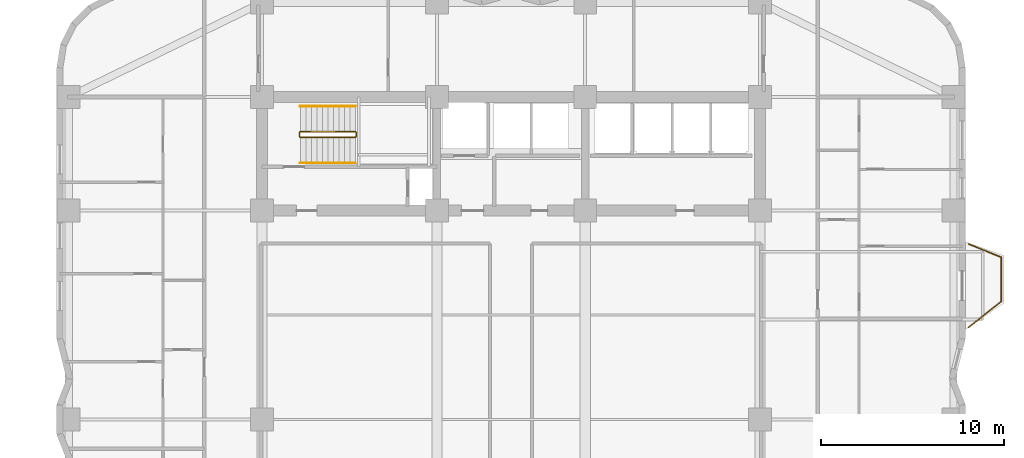
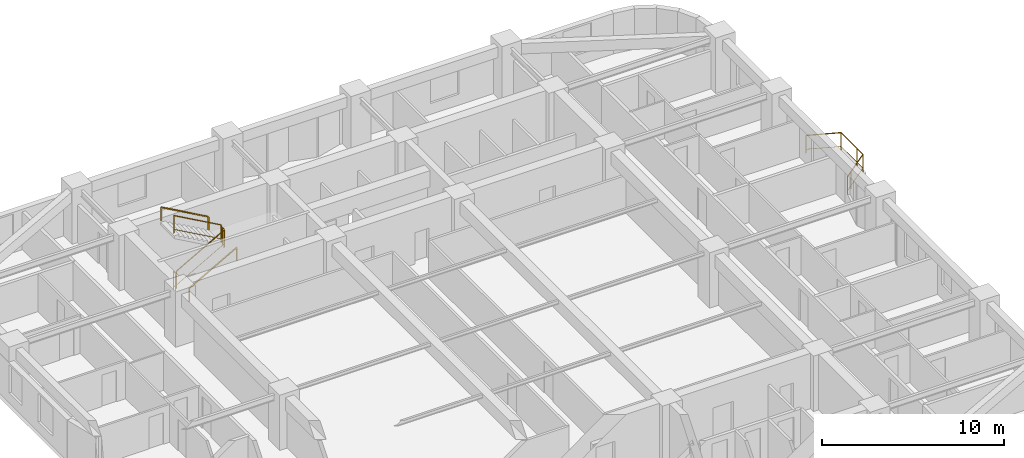
# One storey, part 9 of 9: 7 railings.
"""IFC4 building model written with IfcOpenShell, lengths in metres."""

from ifc_helpers import new_model, si_unit, direction, frame, origin, origin_2d, place, context, subcontext, project, spatial, rectangle, extrude, material, type_object, element, save


model = new_model("IFC4")

# Units and contexts
model_context = context("Model", 3, precision=1e-05, world=origin(), true_north=direction((0.0, 1.0)))
body_context = subcontext(model_context, "Body", "Model", "MODEL_VIEW")
ifc_project = project(units=[si_unit("LENGTHUNIT", "METRE"), si_unit("AREAUNIT", "SQUARE_METRE"), si_unit("VOLUMEUNIT", "CUBIC_METRE"), si_unit("PLANEANGLEUNIT", "RADIAN"), si_unit("MASSUNIT", "GRAM", prefix="KILO")], contexts=[model_context])

# Site, building, storey
site_placement = place(None, origin())
site = spatial("IfcSite", under=ifc_project, at=site_placement, CompositionType="ELEMENT")
building_placement = place(site_placement, origin())
building = spatial("IfcBuilding", under=site, at=building_placement, Name="Svetorya Sky Lyceum", CompositionType="ELEMENT")
storey_placement = place(building_placement, frame((0.0, 0.0, 32.5)))
storey = spatial("IfcBuildingStorey", under=building, at=storey_placement, Name="L07", CompositionType="ELEMENT", Elevation=32.5)

# Railings
ifc_material_1 = material(Name="Laminated safety glass and stainless AISI 316", Category="glass")
railing_type_1 = type_object("IfcRailingType", Name="RL-BAL-1200", PredefinedType="BALUSTRADE", material=ifc_material_1)
railing_1_placement = place(storey_placement, frame((64.169921875, 37.780029296875, 0.0)))
element("IfcRailing", 1, at=railing_1_placement, inside=storey, type_object=railing_type_1, Name="L07 Balcony Balustrade BAL-E1", PredefinedType="BALUSTRADE", context=body_context, shape_type="SweptSolid", body=[
    extrude(rectangle(XDim=0.048095703125, YDim=0.048095703125, at=origin_2d()), frame((0.0, 0.0, 1.17578125), z_axis=(0.926697865975, -0.375807218129, 0.0), x_axis=(0.375807218129, 0.926697865975, 0.0)), (0.0, 0.0, 1.0), 1.9423828125),
    extrude(rectangle(XDim=0.02392578125, YDim=0.02392578125, at=origin_2d()), frame((0.0, 0.0, 0.25), z_axis=(0.926697865975, -0.375807218129, 0.0), x_axis=(0.375807218129, 0.926697865975, 0.0)), (0.0, 0.0, 1.0), 1.9423828125),
    extrude(rectangle(XDim=0.048095703125, YDim=0.048095703125, at=origin_2d()), frame((1.800048828125, -0.72998046875, 1.17578125), z_axis=(0.0, -1.0, 0.0), x_axis=(1.0, 0.0, 0.0)), (0.0, 0.0, 1.0), 2.400146484375),
    extrude(rectangle(XDim=0.02392578125, YDim=0.02392578125, at=origin_2d()), frame((1.800048828125, -0.72998046875, 0.25), z_axis=(0.0, -1.0, 0.0), x_axis=(1.0, 0.0, 0.0)), (0.0, 0.0, 1.0), 2.400146484375),
    extrude(rectangle(XDim=0.048095703125, YDim=0.048095703125, at=origin_2d()), frame((1.800048828125, -3.130126953125, 1.17578125), z_axis=(-0.783008919264, -0.622010476079, 0.0), x_axis=(0.622010476079, -0.783008919264, 0.0)), (0.0, 0.0, 1.0), 2.298828125),
    extrude(rectangle(XDim=0.02392578125, YDim=0.02392578125, at=origin_2d()), frame((1.800048828125, -3.130126953125, 0.25), z_axis=(-0.783008919264, -0.622010476079, 0.0), x_axis=(0.622010476079, -0.783008919264, 0.0)), (0.0, 0.0, 1.0), 2.298828125),
    extrude(rectangle(XDim=0.0419921875, YDim=0.0419921875, at=origin_2d()), origin(), (0.0, 0.0, 1.0), 1.15185546875),
    extrude(rectangle(XDim=0.0419921875, YDim=0.0419921875, at=origin_2d()), frame((1.800048828125, -0.72998046875, 0.0)), (0.0, 0.0, 1.0), 1.15185546875),
    extrude(rectangle(XDim=0.0419921875, YDim=0.0419921875, at=origin_2d()), frame((1.800048828125, -2.47998046875, 0.0)), (0.0, 0.0, 1.0), 1.15185546875),
    extrude(rectangle(XDim=0.0419921875, YDim=0.0419921875, at=origin_2d()), frame((1.800048828125, -3.130126953125, 0.0)), (0.0, 0.0, 1.0), 1.15185546875),
    extrude(rectangle(XDim=0.0419921875, YDim=0.0419921875, at=origin_2d()), frame((0.4296875, -4.21875, 0.0)), (0.0, 0.0, 1.0), 1.15185546875),
    extrude(rectangle(XDim=0.0419921875, YDim=0.0419921875, at=origin_2d()), frame((0.0, -4.56005859375, 0.0)), (0.0, 0.0, 1.0), 1.15185546875),
])
ifc_material_2 = material(Name="Painted galvanized stair well guard")
railing_type_2 = type_object("IfcRailingType", Name="RL-STR-GUARD-1200", PredefinedType="GUARDRAIL", material=ifc_material_2)
railing_2_placement = place(storey_placement, frame((27.699951171875, 43.60009765625, 0.168212890625)))
element("IfcRailing", 2, at=railing_2_placement, inside=storey, type_object=railing_type_2, Name="L07 ST-N stair guard 1", PredefinedType="GUARDRAIL", context=body_context, shape_type="SweptSolid", body=[
    extrude(rectangle(XDim=0.048095703125, YDim=0.048095703125, at=origin_2d()), frame((0.0, 0.0, 1.17578125), z_axis=(0.872272294576, 0.0, 0.489020494575), x_axis=(0.0, 1.0, 0.0)), (0.0, 0.0, 1.0), 3.439208984375),
    extrude(rectangle(XDim=0.02392578125, YDim=0.02392578125, at=origin_2d()), frame((0.0, 0.0, 0.25), z_axis=(0.872272294576, 0.0, 0.489020494575), x_axis=(0.0, 1.0, 0.0)), (0.0, 0.0, 1.0), 3.439208984375),
    extrude(rectangle(XDim=0.0419921875, YDim=0.0419921875, at=origin_2d()), origin(), (0.0, 0.0, 1.0), 1.15185546875),
    extrude(rectangle(XDim=0.0419921875, YDim=0.0419921875, at=origin_2d()), frame((3.0, 0.0, 1.681884765625)), (0.0, 0.0, 1.0), 1.15185546875),
])
railing_3_placement = place(storey_placement, frame((30.75, 43.64990234375, 1.85009765625)))
element("IfcRailing", 3, at=railing_3_placement, inside=storey, type_object=railing_type_2, Name="L07 ST-N stair guard 2", PredefinedType="GUARDRAIL", context=body_context, shape_type="SweptSolid", body=[
    extrude(rectangle(XDim=0.048095703125, YDim=0.048095703125, at=origin_2d()), frame((0.0, 0.0, 1.17578125), z_axis=(0.0, 1.0, 0.0), x_axis=(-1.0, 0.0, 0.0)), (0.0, 0.0, 1.0), 0.2001953125),
    extrude(rectangle(XDim=0.02392578125, YDim=0.02392578125, at=origin_2d()), frame((0.0, 0.0, 0.25), z_axis=(0.0, 1.0, 0.0), x_axis=(-1.0, 0.0, 0.0)), (0.0, 0.0, 1.0), 0.2001953125),
    extrude(rectangle(XDim=0.0419921875, YDim=0.0419921875, at=origin_2d()), origin(), (0.0, 0.0, 1.0), 1.15185546875),
    extrude(rectangle(XDim=0.0419921875, YDim=0.0419921875, at=origin_2d()), frame((0.0, 0.2001953125, 0.0)), (0.0, 0.0, 1.0), 1.15185546875),
])
railing_4_placement = place(storey_placement, frame((30.699951171875, 43.89990234375, 2.01806640625)))
element("IfcRailing", 4, at=railing_4_placement, inside=storey, type_object=railing_type_2, Name="L07 ST-N stair guard 3", PredefinedType="GUARDRAIL", context=body_context, shape_type="SweptSolid", body=[
    extrude(rectangle(XDim=0.048095703125, YDim=0.048095703125, at=origin_2d()), frame((0.0, 0.0, 1.17578125), z_axis=(-0.872272294576, 0.0, 0.489020494575), x_axis=(0.0, -1.0, 0.0)), (0.0, 0.0, 1.0), 3.439208984375),
    extrude(rectangle(XDim=0.02392578125, YDim=0.02392578125, at=origin_2d()), frame((0.0, 0.0, 0.25), z_axis=(-0.872272294576, 0.0, 0.489020494575), x_axis=(0.0, -1.0, 0.0)), (0.0, 0.0, 1.0), 3.439208984375),
    extrude(rectangle(XDim=0.0419921875, YDim=0.0419921875, at=origin_2d()), origin(), (0.0, 0.0, 1.0), 1.15185546875),
    extrude(rectangle(XDim=0.0419921875, YDim=0.0419921875, at=origin_2d()), frame((-3.0, 0.0, 1.681884765625)), (0.0, 0.0, 1.0), 1.15185546875),
])
railing_5_placement = place(storey_placement, frame((27.64990234375, 43.64990234375, 0.0)))
element("IfcRailing", 5, at=railing_5_placement, inside=storey, type_object=railing_type_2, Name="L07 ST-N stair guard 4", PredefinedType="GUARDRAIL", context=body_context, shape_type="SweptSolid", body=[
    extrude(rectangle(XDim=0.048095703125, YDim=0.048095703125, at=origin_2d()), frame((0.0, 0.0, 1.17578125), z_axis=(0.0, 1.0, 0.0), x_axis=(-1.0, 0.0, 0.0)), (0.0, 0.0, 1.0), 0.2001953125),
    extrude(rectangle(XDim=0.02392578125, YDim=0.02392578125, at=origin_2d()), frame((0.0, 0.0, 0.25), z_axis=(0.0, 1.0, 0.0), x_axis=(-1.0, 0.0, 0.0)), (0.0, 0.0, 1.0), 0.2001953125),
    extrude(rectangle(XDim=0.0419921875, YDim=0.0419921875, at=origin_2d()), origin(), (0.0, 0.0, 1.0), 1.15185546875),
    extrude(rectangle(XDim=0.0419921875, YDim=0.0419921875, at=origin_2d()), frame((0.0, 0.2001953125, 0.0)), (0.0, 0.0, 1.0), 1.15185546875),
])
ifc_material_3 = material(Name="Brushed stainless AISI 304 stair handrail")
railing_type_3 = type_object("IfcRailingType", Name="RL-STR-HAND-920", PredefinedType="HANDRAIL", material=ifc_material_3)
railing_6_placement = place(storey_placement, frame((27.699951171875, 42.199951171875, 0.168212890625)))
element("IfcRailing", 6, at=railing_6_placement, inside=storey, type_object=railing_type_3, Name="L07 ST-N stair handrail 1", PredefinedType="HANDRAIL", context=body_context, shape_type="SweptSolid", body=[
    extrude(rectangle(XDim=0.048095703125, YDim=0.048095703125, at=origin_2d()), frame((0.0, 0.0, 0.8759765625), z_axis=(0.872272294576, 0.0, 0.489020494575), x_axis=(0.0, 1.0, 0.0)), (0.0, 0.0, 1.0), 3.439208984375),
    extrude(rectangle(XDim=0.0419921875, YDim=0.0419921875, at=origin_2d()), origin(), (0.0, 0.0, 1.0), 0.851806640625),
    extrude(rectangle(XDim=0.0419921875, YDim=0.0419921875, at=origin_2d()), frame((3.0, 0.0, 1.681884765625)), (0.0, 0.0, 1.0), 0.851806640625),
])
railing_7_placement = place(storey_placement, frame((30.699951171875, 45.300048828125, 2.01806640625)))
element("IfcRailing", 7, at=railing_7_placement, inside=storey, type_object=railing_type_3, Name="L07 ST-N stair handrail 2", PredefinedType="HANDRAIL", context=body_context, shape_type="SweptSolid", body=[
    extrude(rectangle(XDim=0.048095703125, YDim=0.048095703125, at=origin_2d()), frame((0.0, 0.0, 0.8759765625), z_axis=(-0.872272294576, 0.0, 0.489020494575), x_axis=(0.0, -1.0, 0.0)), (0.0, 0.0, 1.0), 3.439208984375),
    extrude(rectangle(XDim=0.0419921875, YDim=0.0419921875, at=origin_2d()), origin(), (0.0, 0.0, 1.0), 0.851806640625),
    extrude(rectangle(XDim=0.0419921875, YDim=0.0419921875, at=origin_2d()), frame((-3.0, 0.0, 1.681884765625)), (0.0, 0.0, 1.0), 0.851806640625),
])

save(model, "model.ifc")
